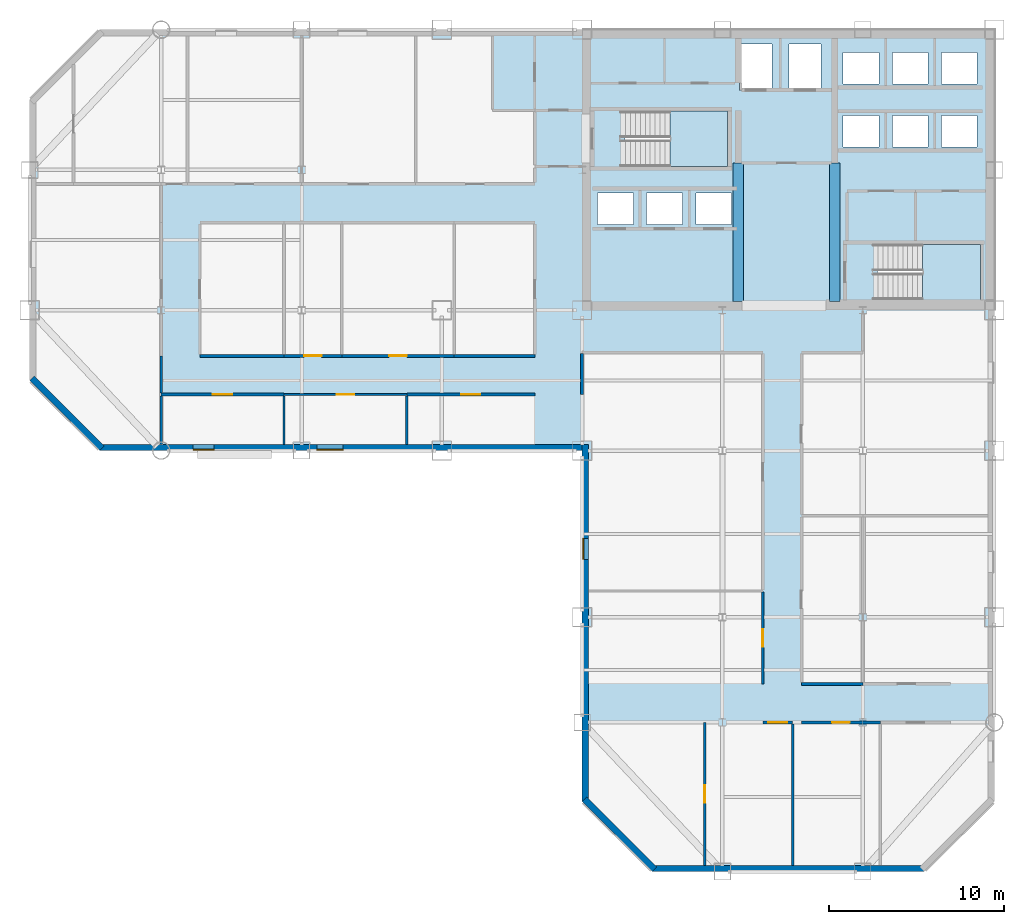
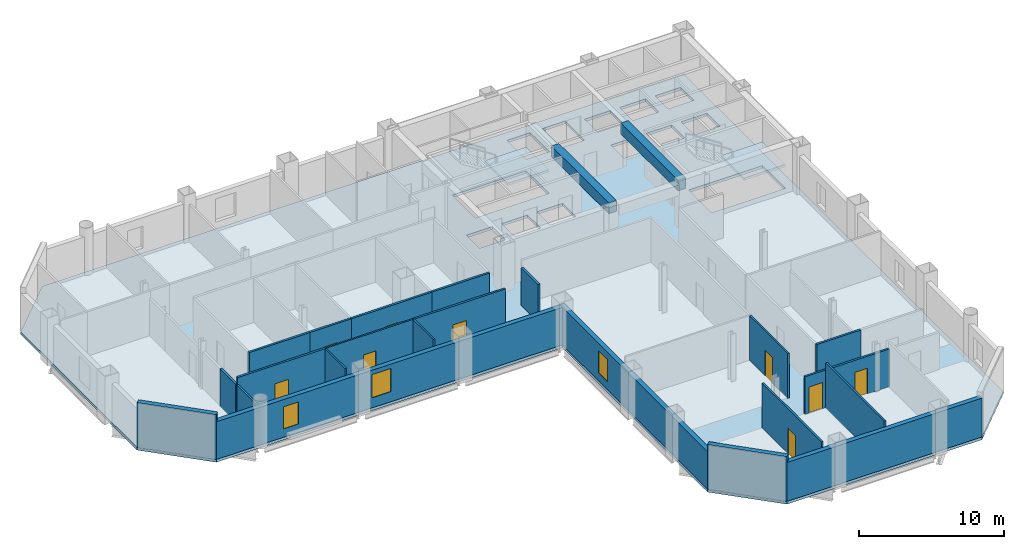
# One storey, part 5 of 10: 23 walls, 9 doors, 3 slabs, 3 windows, 2 beams, 12 openings, 2 elements without a shape of their own.
"""IFC4 building model written with IfcOpenShell, lengths in metres."""

from ifc_helpers import new_model, si_unit, direction, frame, frame_2d, origin, origin_2d, place, context, subcontext, project, spatial, polyline, rectangle, outline, extrude, material, layer, layer_set, material_profile, profile_set, type_object, element, fill, aggregate, save


model = new_model("IFC4")

# Units and contexts
model_context = context("Model", 3, precision=1e-05, world=origin(), true_north=direction((0.0, 1.0)))
body_context = subcontext(model_context, "Body", "Model", "MODEL_VIEW")
ifc_project = project(units=[si_unit("LENGTHUNIT", "METRE"), si_unit("AREAUNIT", "SQUARE_METRE"), si_unit("VOLUMEUNIT", "CUBIC_METRE"), si_unit("PLANEANGLEUNIT", "RADIAN"), si_unit("MASSUNIT", "GRAM", prefix="KILO")], contexts=[model_context])

# Site, building, storey
site_placement = place(None, origin())
site = spatial("IfcSite", under=ifc_project, at=site_placement, CompositionType="ELEMENT")
building_placement = place(site_placement, origin())
building = spatial("IfcBuilding", under=site, at=building_placement, Name="Qianrong Seaharbour Tower", CompositionType="ELEMENT")
storey_placement = place(building_placement, frame((0.0, 0.0, 183.0)))
storey = spatial("IfcBuildingStorey", under=building, at=storey_placement, Name="L44", CompositionType="ELEMENT", Elevation=183.0)

# Beams
ifc_material_1 = material(Name="Concrete C70/85", Category="concrete")
ifc_material_profile = material_profile(ifc_material_1, rectangle(XDim=0.60009765625, YDim=0.89990234375, at=origin_2d()), Name="RC600x900")
ifc_profile_set = profile_set([ifc_material_profile], Name="Concrete C70/85")
beam_type = type_object("IfcBeamType", Name="BM-LINTEL-900", PredefinedType="LINTEL", material=ifc_profile_set)
for number, where, z_axis, x_axis, name in (
    (1, (49.39990234375, 36.5, 3.31494140625), (0.0, 1.0, 0.0), (-1.0, 0.0, 0.0), "L44 Internal Core Coupling Beam IW1"),
    (2, (54.89990234375, 36.5, 3.31494140625), (0.0, 1.0, 0.0), (-1.0, 0.0, 0.0), "L44 Internal Core Coupling Beam IW2"),
):
    element("IfcBeam", number, at=place(storey_placement, frame(where, z_axis=z_axis, x_axis=x_axis)), inside=storey, type_object=beam_type, Name=name, PredefinedType="LINTEL", context=body_context, shape_type="SweptSolid", body=[
        extrude(rectangle(XDim=0.60009765625, YDim=0.89990234375, at=origin_2d()), origin(), (0.0, 0.0, 1.0), 7.89990234375),
    ])

# Stair, slab
ifc_material_2 = material(Name="Concrete C50/60", Category="concrete")
stair_type = type_object("IfcStairType", Name="STAIR-DOGLEG-1500-R22", PredefinedType="HALF_TURN_STAIR", material=ifc_material_2)
stair_1_placement = place(storey_placement, origin())
stair_1 = element("IfcStair", 3, at=stair_1_placement, inside=storey, type_object=stair_type, Name="L44 Protected Escape Stair ST-1", PredefinedType="HALF_TURN_STAIR")
ifc_layer_1 = layer(ifc_material_2, 0.199951171875)
ifc_layer_set_1 = layer_set([ifc_layer_1], Name="Concrete C50/60")
slab_type_1 = type_object("IfcSlabType", Name="SLAB-STAIR-LANDING-200", PredefinedType="LANDING", material=ifc_layer_set_1)
slab_1_placement = place(storey_placement, frame((0.0, 0.0, 1.800048828125)))
slab_1 = element("IfcSlab", 4, at=slab_1_placement, type_object=slab_type_1, Name="ST-1 landing 1", PredefinedType="LANDING", context=body_context, shape_type="SweptSolid", body=[
    extrude(outline(polyline([(45.5, 44.199951171875), (48.800048828125, 44.199951171875), (48.800048828125, 47.35009765625), (45.5, 47.35009765625), (45.5, 44.199951171875)])), origin(), (0.0, 0.0, 1.0), 0.199951171875),
])
aggregate(stair_1, [slab_1])

stair_2_placement = place(storey_placement, origin())
stair_2 = element("IfcStair", 5, at=stair_2_placement, inside=storey, type_object=stair_type, Name="L44 Protected Escape Stair ST-2", PredefinedType="HALF_TURN_STAIR")
slab_2_placement = place(storey_placement, frame((0.0, 0.0, 1.800048828125)))
slab_2 = element("IfcSlab", 6, at=slab_2_placement, type_object=slab_type_1, Name="ST-2 landing 1", PredefinedType="LANDING", context=body_context, shape_type="SweptSolid", body=[
    extrude(outline(polyline([(59.89990234375, 36.60009765625), (63.199951171875, 36.60009765625), (63.199951171875, 39.75), (59.89990234375, 39.75), (59.89990234375, 36.60009765625)])), origin(), (0.0, 0.0, 1.0), 0.199951171875),
])
aggregate(stair_2, [slab_2])

# Slab
ifc_layer_2 = layer(ifc_material_2, 0.235107421875)
ifc_layer_set_2 = layer_set([ifc_layer_2], Name="Concrete C50/60")
slab_type_2 = type_object("IfcSlabType", Name="SLAB-Z2-235", PredefinedType="FLOOR", material=ifc_layer_set_2)
slab_3_placement = place(storey_placement, frame((0.0, 0.0, -0.235107421875)))
element("IfcSlab", 7, at=slab_3_placement, inside=storey, type_object=slab_type_2, Name="L44 Structural Floor Slab", PredefinedType="FLOOR", context=body_context, shape_type="SweptSolid", body=[
    extrude(outline(polyline([(44.5, 4.0), (60.0, 4.0), (64.0, 8.0), (64.0, 52.0), (13.0, 52.0), (9.0, 48.0), (9.0, 32.0), (13.0, 28.0), (40.5, 28.0), (40.5, 8.0), (44.5, 4.0)]), holes=[polyline([(42.93994140625, 44.199951171875), (42.93994140625, 47.35009765625), (48.800048828125, 47.35009765625), (48.800048828125, 44.199951171875), (42.93994140625, 44.199951171875)]), polyline([(57.340087890625, 36.60009765625), (57.340087890625, 39.75), (63.199951171875, 39.75), (63.199951171875, 36.60009765625), (57.340087890625, 36.60009765625)]), polyline([(49.47998046875, 48.530029296875), (49.47998046875, 51.169921875), (51.320068359375, 51.169921875), (51.320068359375, 48.530029296875), (49.47998046875, 48.530029296875)]), polyline([(52.280029296875, 48.530029296875), (52.280029296875, 51.169921875), (54.1201171875, 51.169921875), (54.1201171875, 48.530029296875), (52.280029296875, 48.530029296875)]), polyline([(41.3798828125, 40.89990234375), (41.3798828125, 42.699951171875), (43.419921875, 42.699951171875), (43.419921875, 40.89990234375), (41.3798828125, 40.89990234375)]), polyline([(44.179931640625, 40.89990234375), (44.179931640625, 42.699951171875), (46.219970703125, 42.699951171875), (46.219970703125, 40.89990234375), (44.179931640625, 40.89990234375)]), polyline([(46.97998046875, 40.89990234375), (46.97998046875, 42.699951171875), (49.02001953125, 42.699951171875), (49.02001953125, 40.89990234375), (46.97998046875, 40.89990234375)]), polyline([(55.3798828125, 45.300048828125), (55.3798828125, 47.10009765625), (57.419921875, 47.10009765625), (57.419921875, 45.300048828125), (55.3798828125, 45.300048828125)]), polyline([(58.179931640625, 45.300048828125), (58.179931640625, 47.10009765625), (60.219970703125, 47.10009765625), (60.219970703125, 45.300048828125), (58.179931640625, 45.300048828125)]), polyline([(60.97998046875, 45.300048828125), (60.97998046875, 47.10009765625), (63.02001953125, 47.10009765625), (63.02001953125, 45.300048828125), (60.97998046875, 45.300048828125)]), polyline([(55.3798828125, 48.89990234375), (55.3798828125, 50.699951171875), (57.419921875, 50.699951171875), (57.419921875, 48.89990234375), (55.3798828125, 48.89990234375)]), polyline([(58.179931640625, 48.89990234375), (58.179931640625, 50.699951171875), (60.219970703125, 50.699951171875), (60.219970703125, 48.89990234375), (58.179931640625, 48.89990234375)]), polyline([(60.97998046875, 48.89990234375), (60.97998046875, 50.699951171875), (63.02001953125, 50.699951171875), (63.02001953125, 48.89990234375), (60.97998046875, 48.89990234375)])]), origin(), (0.0, 0.0, 1.0), 0.235107421875),
])

# Wall
ifc_material_3 = material(Name="Fire-rated acoustic gypsum board partition")
ifc_layer_3 = layer(ifc_material_3, 0.1650390625)
ifc_layer_set_3 = layer_set([ifc_layer_3], Name="Fire-rated acoustic gypsum board partition")
wall_type_1 = type_object("IfcWallType", Name="WALL-CORR-PART-165", PredefinedType="PARTITIONING", material=ifc_layer_set_3)
wall_1_placement = place(storey_placement, frame((18.699951171875, 33.39990234375, 0.0), z_axis=(0.0, 0.0, 1.0), x_axis=(1.0, 0.0, 0.0)))
element("IfcWall", 8, at=wall_1_placement, inside=storey, type_object=wall_type_1, Name="L44 Interior Partition Wall 015", PredefinedType="PARTITIONING", context=body_context, shape_type="SweptSolid", body=[
    extrude(rectangle(XDim=4.800048828125, YDim=0.1650390625, at=frame_2d((2.39990234375, 0.0))), origin(), (0.0, 0.0, 1.0), 3.764892578125),
])

# Wall, opening, door
wall_2_placement = place(storey_placement, frame((23.5, 33.39990234375, 0.0), z_axis=(0.0, 0.0, 1.0), x_axis=(1.0, 0.0, 0.0)))
wall_2 = element("IfcWall", 9, at=wall_2_placement, inside=storey, type_object=wall_type_1, Name="L44 Interior Partition Wall 016", PredefinedType="PARTITIONING", context=body_context, shape_type="SweptSolid", body=[
    extrude(rectangle(XDim=3.300048828125, YDim=0.1650390625, at=frame_2d((1.64990234375, 0.0))), origin(), (0.0, 0.0, 1.0), 3.764892578125),
])
opening_1_placement = place(wall_2_placement, frame((1.14990234375, 0.0, 0.0)))
opening_1 = element("IfcOpeningElement", 10, at=opening_1_placement, cuts=wall_2, Name="Opening DO-01", PredefinedType="OPENING", context=body_context, shape_type="SweptSolid", body=[
    extrude(rectangle(XDim=1.0, YDim=2.14990234375, at=frame_2d((0.5, 1.074951171875))), frame((0.0, 0.092529296875, 0.0), z_axis=(0.0, -1.0, 0.0), x_axis=(1.0, 0.0, 0.0)), (0.0, 0.0, 1.0), 0.18505859375),
])
ifc_material_4 = material(Name="Acoustic timber and galvanized steel fire door assembly", Category="steel")
door_type_1 = type_object("IfcDoorType", Name="DOOR-OFFICE-1000x2150", OperationType="NOTDEFINED", PredefinedType="DOOR", material=ifc_material_4)
door_1_placement = place(opening_1_placement, origin())
door_1 = element("IfcDoor", 11, at=door_1_placement, inside=storey, type_object=door_type_1, Name="L44 Maritime Artifact Showroom 2 Door", OperationType="SINGLE_SWING_RIGHT", OverallHeight=2.14990234375, OverallWidth=1.0, PredefinedType="DOOR", context=body_context, shape_type="SweptSolid", body=[
    extrude(rectangle(XDim=1.0, YDim=2.14990234375, at=frame_2d((0.5, 1.074951171875))), frame((0.0, 0.02490234375, 0.0), z_axis=(0.0, -1.0, 0.0), x_axis=(1.0, 0.0, 0.0)), (0.0, 0.0, 1.0), 0.050048828125),
])
fill(opening_1, door_1)

wall_3_placement = place(storey_placement, frame((26.800048828125, 33.39990234375, 0.0), z_axis=(0.0, 0.0, 1.0), x_axis=(1.0, 0.0, 0.0)))
wall_3 = element("IfcWall", 12, at=wall_3_placement, inside=storey, type_object=wall_type_1, Name="L44 Interior Partition Wall 017", PredefinedType="PARTITIONING", context=body_context, shape_type="SweptSolid", body=[
    extrude(rectangle(XDim=6.39990234375, YDim=0.1650390625, at=frame_2d((3.199951171875, 0.0))), origin(), (0.0, 0.0, 1.0), 3.764892578125),
])
opening_2_placement = place(wall_3_placement, frame((2.699951171875, 0.0, 0.0)))
opening_2 = element("IfcOpeningElement", 13, at=opening_2_placement, cuts=wall_3, Name="Opening DO-01", PredefinedType="OPENING", context=body_context, shape_type="SweptSolid", body=[
    extrude(rectangle(XDim=1.0, YDim=2.14990234375, at=frame_2d((0.5, 1.074951171875))), frame((0.0, 0.092529296875, 0.0), z_axis=(0.0, -1.0, 0.0), x_axis=(1.0, 0.0, 0.0)), (0.0, 0.0, 1.0), 0.18505859375),
])
door_2_placement = place(opening_2_placement, origin())
door_2 = element("IfcDoor", 14, at=door_2_placement, inside=storey, type_object=door_type_1, Name="L44 Maritime Artifact Showroom 3 Door", OperationType="SINGLE_SWING_LEFT", OverallHeight=2.14990234375, OverallWidth=1.0, PredefinedType="DOOR", context=body_context, shape_type="SweptSolid", body=[
    extrude(rectangle(XDim=1.0, YDim=2.14990234375, at=frame_2d((0.5, 1.074951171875))), frame((0.0, 0.02490234375, 0.0), z_axis=(0.0, -1.0, 0.0), x_axis=(1.0, 0.0, 0.0)), (0.0, 0.0, 1.0), 0.050048828125),
])
fill(opening_2, door_2)

# Walls
wall_4_placement = place(storey_placement, frame((33.199951171875, 33.39990234375, 0.0), z_axis=(0.0, 0.0, 1.0), x_axis=(1.0, 0.0, 0.0)))
element("IfcWall", 15, at=wall_4_placement, inside=storey, type_object=wall_type_1, Name="L44 Interior Partition Wall 018", PredefinedType="PARTITIONING", context=body_context, shape_type="SweptSolid", body=[
    extrude(rectangle(XDim=4.60009765625, YDim=0.1650390625, at=frame_2d((2.300048828125, 0.0))), origin(), (0.0, 0.0, 1.0), 3.764892578125),
])
wall_5_placement = place(storey_placement, frame((16.5, 31.2744140625, 0.0), z_axis=(0.0, 0.0, 1.0), x_axis=(0.0, 1.0, 0.0)))
element("IfcWall", 16, at=wall_5_placement, inside=storey, type_object=wall_type_1, Name="L44 Interior Partition Wall 019", PredefinedType="PARTITIONING", context=body_context, shape_type="SweptSolid", body=[
    extrude(rectangle(XDim=2.12548828125, YDim=0.1650390625, at=frame_2d((1.062744140625, 0.0))), origin(), (0.0, 0.0, 1.0), 3.156982421875),
])

# Wall, opening, door
wall_6_placement = place(storey_placement, frame((23.5, 31.199951171875, 0.0), z_axis=(0.0, 0.0, 1.0), x_axis=(-1.0, 0.0, 0.0)))
wall_6 = element("IfcWall", 17, at=wall_6_placement, inside=storey, type_object=wall_type_1, Name="L44 Interior Partition Wall 020", PredefinedType="PARTITIONING", context=body_context, shape_type="SweptSolid", body=[
    extrude(rectangle(XDim=7.0, YDim=0.1650390625, at=frame_2d((3.5, 0.0))), origin(), (0.0, 0.0, 1.0), 3.764892578125),
])
opening_3_placement = place(wall_6_placement, frame((2.949951171875, 0.0, 0.0)))
opening_3 = element("IfcOpeningElement", 18, at=opening_3_placement, cuts=wall_6, Name="Opening DM-01", PredefinedType="OPENING", context=body_context, shape_type="SweptSolid", body=[
    extrude(rectangle(XDim=1.10009765625, YDim=2.199951171875, at=frame_2d((0.550048828125, 1.10009765625))), frame((0.0, 0.092529296875, 0.0), z_axis=(0.0, -1.0, 0.0), x_axis=(1.0, 0.0, 0.0)), (0.0, 0.0, 1.0), 0.18505859375),
])
door_type_2 = type_object("IfcDoorType", Name="DOOR-MEET-1100x2200", OperationType="NOTDEFINED", PredefinedType="DOOR", material=ifc_material_4)
door_3_placement = place(opening_3_placement, origin())
door_3 = element("IfcDoor", 19, at=door_3_placement, inside=storey, type_object=door_type_2, Name="L44 Negotiation Meeting Room 1 Door", OperationType="SINGLE_SWING_RIGHT", OverallHeight=2.199951171875, OverallWidth=1.10009765625, PredefinedType="DOOR", context=body_context, shape_type="SweptSolid", body=[
    extrude(rectangle(XDim=1.10009765625, YDim=2.199951171875, at=frame_2d((0.550048828125, 1.10009765625))), frame((0.0, 0.02490234375, 0.0), z_axis=(0.0, -1.0, 0.0), x_axis=(1.0, 0.0, 0.0)), (0.0, 0.0, 1.0), 0.050048828125),
])
fill(opening_3, door_3)

wall_7_placement = place(storey_placement, frame((37.800048828125, 31.199951171875, 0.0), z_axis=(0.0, 0.0, 1.0), x_axis=(-1.0, 0.0, 0.0)))
wall_7 = element("IfcWall", 20, at=wall_7_placement, inside=storey, type_object=wall_type_1, Name="L44 Interior Partition Wall 022", PredefinedType="PARTITIONING", context=body_context, shape_type="SweptSolid", body=[
    extrude(rectangle(XDim=7.300048828125, YDim=0.1650390625, at=frame_2d((3.64990234375, 0.0))), origin(), (0.0, 0.0, 1.0), 3.764892578125),
])
opening_4_placement = place(wall_7_placement, frame((3.10009765625, 0.0, 0.0)))
opening_4 = element("IfcOpeningElement", 21, at=opening_4_placement, cuts=wall_7, Name="Opening DM-01", PredefinedType="OPENING", context=body_context, shape_type="SweptSolid", body=[
    extrude(rectangle(XDim=1.10009765625, YDim=2.199951171875, at=frame_2d((0.550048828125, 1.10009765625))), frame((0.0, 0.092529296875, 0.0), z_axis=(0.0, -1.0, 0.0), x_axis=(1.0, 0.0, 0.0)), (0.0, 0.0, 1.0), 0.18505859375),
])
door_4_placement = place(opening_4_placement, origin())
door_4 = element("IfcDoor", 22, at=door_4_placement, inside=storey, type_object=door_type_2, Name="L44 Negotiation Meeting Room 3 Door", OperationType="SINGLE_SWING_RIGHT", OverallHeight=2.199951171875, OverallWidth=1.10009765625, PredefinedType="DOOR", context=body_context, shape_type="SweptSolid", body=[
    extrude(rectangle(XDim=1.10009765625, YDim=2.199951171875, at=frame_2d((0.550048828125, 1.10009765625))), frame((0.0, 0.02490234375, 0.0), z_axis=(0.0, -1.0, 0.0), x_axis=(1.0, 0.0, 0.0)), (0.0, 0.0, 1.0), 0.050048828125),
])
fill(opening_4, door_4)

# Wall
wall_8_placement = place(storey_placement, frame((40.5, 33.525390625, 0.0), z_axis=(0.0, 0.0, 1.0), x_axis=(0.0, -1.0, 0.0)))
element("IfcWall", 23, at=wall_8_placement, inside=storey, type_object=wall_type_1, Name="L44 Interior Partition Wall 036", PredefinedType="PARTITIONING", context=body_context, shape_type="SweptSolid", body=[
    extrude(rectangle(XDim=2.325439453125, YDim=0.1650390625, at=frame_2d((1.16259765625, 0.0))), origin(), (0.0, 0.0, 1.0), 3.156982421875),
])

# Wall, opening, door
wall_9_placement = place(storey_placement, frame((52.5, 12.5, 0.0), z_axis=(0.0, 0.0, 1.0), x_axis=(-1.0, 0.0, 0.0)))
wall_9 = element("IfcWall", 24, at=wall_9_placement, inside=storey, type_object=wall_type_1, Name="L44 Interior Partition Wall 044", PredefinedType="PARTITIONING", context=body_context, shape_type="SweptSolid", body=[
    extrude(rectangle(XDim=1.699951171875, YDim=0.1650390625, at=frame_2d((0.85009765625, 0.0))), origin(), (0.0, 0.0, 1.0), 3.156982421875),
])
opening_5_placement = place(wall_9_placement, frame((0.300048828125, 0.0, 0.0)))
opening_5 = element("IfcOpeningElement", 25, at=opening_5_placement, cuts=wall_9, Name="Opening DM-01", PredefinedType="OPENING", context=body_context, shape_type="SweptSolid", body=[
    extrude(rectangle(XDim=1.10009765625, YDim=2.199951171875, at=frame_2d((0.550048828125, 1.10009765625))), frame((0.0, 0.092529296875, 0.0), z_axis=(0.0, -1.0, 0.0), x_axis=(1.0, 0.0, 0.0)), (0.0, 0.0, 1.0), 0.18505859375),
])
door_5_placement = place(opening_5_placement, origin())
door_5 = element("IfcDoor", 26, at=door_5_placement, inside=storey, type_object=door_type_2, Name="L44 Contract Signing Room 2 Door", OperationType="SINGLE_SWING_RIGHT", OverallHeight=2.199951171875, OverallWidth=1.10009765625, PredefinedType="DOOR", context=body_context, shape_type="SweptSolid", body=[
    extrude(rectangle(XDim=1.10009765625, YDim=2.199951171875, at=frame_2d((0.550048828125, 1.10009765625))), frame((0.0, 0.02490234375, 0.0), z_axis=(0.0, -1.0, 0.0), x_axis=(1.0, 0.0, 0.0)), (0.0, 0.0, 1.0), 0.050048828125),
])
fill(opening_5, door_5)

# Wall
wall_10_placement = place(storey_placement, frame((53.0, 14.699951171875, 0.0), z_axis=(0.0, 0.0, 1.0), x_axis=(1.0, 0.0, 0.0)))
element("IfcWall", 27, at=wall_10_placement, inside=storey, type_object=wall_type_1, Name="L44 Interior Partition Wall 045", PredefinedType="PARTITIONING", context=body_context, shape_type="SweptSolid", body=[
    extrude(rectangle(XDim=3.5, YDim=0.1650390625, at=frame_2d((1.75, 0.0))), origin(), (0.0, 0.0, 1.0), 3.764892578125),
])

# Wall, opening, door
wall_11_placement = place(storey_placement, frame((57.5, 12.5, 0.0), z_axis=(0.0, 0.0, 1.0), x_axis=(-1.0, 0.0, 0.0)))
wall_11 = element("IfcWall", 28, at=wall_11_placement, inside=storey, type_object=wall_type_1, Name="L44 Interior Partition Wall 047", PredefinedType="PARTITIONING", context=body_context, shape_type="SweptSolid", body=[
    extrude(rectangle(XDim=4.5, YDim=0.1650390625, at=frame_2d((2.25, 0.0))), origin(), (0.0, 0.0, 1.0), 3.156982421875),
])
opening_6_placement = place(wall_11_placement, frame((1.75, 0.0, 0.0)))
opening_6 = element("IfcOpeningElement", 29, at=opening_6_placement, cuts=wall_11, Name="Opening DO-01", PredefinedType="OPENING", context=body_context, shape_type="SweptSolid", body=[
    extrude(rectangle(XDim=1.0, YDim=2.14990234375, at=frame_2d((0.5, 1.074951171875))), frame((0.0, 0.092529296875, 0.0), z_axis=(0.0, -1.0, 0.0), x_axis=(1.0, 0.0, 0.0)), (0.0, 0.0, 1.0), 0.18505859375),
])
door_6_placement = place(opening_6_placement, origin())
door_6 = element("IfcDoor", 30, at=door_6_placement, inside=storey, type_object=door_type_1, Name="L44 Marine Showcase Showroom 3 Door", OperationType="SINGLE_SWING_LEFT", OverallHeight=2.14990234375, OverallWidth=1.0, PredefinedType="DOOR", context=body_context, shape_type="SweptSolid", body=[
    extrude(rectangle(XDim=1.0, YDim=2.14990234375, at=frame_2d((0.5, 1.074951171875))), frame((0.0, 0.02490234375, 0.0), z_axis=(0.0, -1.0, 0.0), x_axis=(1.0, 0.0, 0.0)), (0.0, 0.0, 1.0), 0.050048828125),
])
fill(opening_6, door_6)

# Wall, opening, window
ifc_material_5 = material(Name="Unitised red brick on Precast concrete C45/55", Category="masonry")
ifc_layer_4 = layer(ifc_material_5, 0.360107421875)
ifc_layer_set_4 = layer_set([ifc_layer_4], Name="Unitised red brick on Precast concrete C45/55")
wall_type_2 = type_object("IfcWallType", Name="WALL-EXT-BRICK-RED-360", PredefinedType="SOLIDWALL", material=ifc_layer_set_4)
wall_12_placement = place(storey_placement, frame((40.679931640625, 8.0, 0.0), z_axis=(0.0, 0.0, 1.0), x_axis=(0.0, 1.0, 0.0)))
wall_12 = element("IfcWall", 31, at=wall_12_placement, inside=storey, type_object=wall_type_2, Name="L44 Exterior Masonry Facade Wall REENTRANT_WEST", PredefinedType="SOLIDWALL", context=body_context, shape_type="SweptSolid", body=[
    extrude(rectangle(XDim=20.360107421875, YDim=0.360107421875, at=frame_2d((10.18017578125, 0.0))), origin(), (0.0, 0.0, 1.0), 3.1650390625),
])
opening_7_placement = place(wall_12_placement, frame((13.800048828125, 0.0, 0.699951171875)))
opening_7 = element("IfcOpeningElement", 32, at=opening_7_placement, cuts=wall_12, Name="Opening WN-01", PredefinedType="OPENING", context=body_context, shape_type="SweptSolid", body=[
    extrude(rectangle(XDim=1.199951171875, YDim=1.85009765625, at=frame_2d((0.60009765625, 0.925048828125))), frame((0.0, 0.18994140625, 0.0), z_axis=(0.0, -1.0, 0.0), x_axis=(1.0, 0.0, 0.0)), (0.0, 0.0, 1.0), 0.380126953125),
])
ifc_material_6 = material(Name="Insulated low-e double glazing in thermally broken aluminium 6063-T6 frame", Category="aluminium")
window_type_1 = type_object("IfcWindowType", Name="WIN-PUNCH-1200x1850", PartitioningType="DOUBLE_PANEL_VERTICAL", PredefinedType="WINDOW", material=ifc_material_6)
window_1_placement = place(opening_7_placement, origin())
window_1 = element("IfcWindow", 33, at=window_1_placement, inside=storey, type_object=window_type_1, Name="L44 Deep-Set Punched Window 00.04", OverallHeight=1.85009765625, OverallWidth=1.199951171875, PartitioningType="DOUBLE_PANEL_VERTICAL", PredefinedType="WINDOW", context=body_context, shape_type="SweptSolid", body=[
    extrude(rectangle(XDim=1.199951171875, YDim=1.85009765625, at=frame_2d((0.60009765625, 0.925048828125))), frame((0.0, 0.150146484375, 0.0), z_axis=(0.0, -1.0, 0.0), x_axis=(1.0, 0.0, 0.0)), (0.0, 0.0, 1.0), 0.06005859375),
])
fill(opening_7, window_1)

# Wall, openings, windows
wall_13_placement = place(storey_placement, frame((40.52001953125, 28.179931640625, 0.0), z_axis=(0.0, 0.0, 1.0), x_axis=(-1.0, 0.0, 0.0)))
wall_13 = element("IfcWall", 34, at=wall_13_placement, inside=storey, type_object=wall_type_2, Name="L44 Exterior Masonry Facade Wall HARBOUR_RIBBON", PredefinedType="SOLIDWALL", context=body_context, shape_type="SweptSolid", body=[
    extrude(rectangle(XDim=27.52001953125, YDim=0.360107421875, at=frame_2d((13.760009765625, 0.0))), origin(), (0.0, 0.0, 1.0), 3.1650390625),
])
opening_8_placement = place(wall_13_placement, frame((13.64990234375, 0.0, 0.85009765625)))
opening_8 = element("IfcOpeningElement", 35, at=opening_8_placement, cuts=wall_13, Name="Opening WN-03", PredefinedType="OPENING", context=body_context, shape_type="SweptSolid", body=[
    extrude(rectangle(XDim=1.5, YDim=1.949951171875, at=frame_2d((0.75, 0.97509765625))), frame((0.0, 0.18994140625, 0.0), z_axis=(0.0, -1.0, 0.0), x_axis=(1.0, 0.0, 0.0)), (0.0, 0.0, 1.0), 0.380126953125),
])
opening_9_placement = place(wall_13_placement, frame((21.0, 0.0, 0.699951171875)))
opening_9 = element("IfcOpeningElement", 36, at=opening_9_placement, cuts=wall_13, Name="Opening WN-01", PredefinedType="OPENING", context=body_context, shape_type="SweptSolid", body=[
    extrude(rectangle(XDim=1.199951171875, YDim=1.85009765625, at=frame_2d((0.60009765625, 0.925048828125))), frame((0.0, 0.18994140625, 0.0), z_axis=(0.0, -1.0, 0.0), x_axis=(1.0, 0.0, 0.0)), (0.0, 0.0, 1.0), 0.380126953125),
])
window_2_placement = place(opening_9_placement, origin())
window_2 = element("IfcWindow", 37, at=window_2_placement, inside=storey, type_object=window_type_1, Name="L44 Deep-Set Punched Window 01.06", OverallHeight=1.85009765625, OverallWidth=1.199951171875, PartitioningType="DOUBLE_PANEL_VERTICAL", PredefinedType="WINDOW", context=body_context, shape_type="SweptSolid", body=[
    extrude(rectangle(XDim=1.199951171875, YDim=1.85009765625, at=frame_2d((0.60009765625, 0.925048828125))), frame((0.0, 0.150146484375, 0.0), z_axis=(0.0, -1.0, 0.0), x_axis=(1.0, 0.0, 0.0)), (0.0, 0.0, 1.0), 0.06005859375),
])
fill(opening_9, window_2)
window_type_2 = type_object("IfcWindowType", Name="WIN-PUNCH-1500x1950", PartitioningType="DOUBLE_PANEL_VERTICAL", PredefinedType="WINDOW", material=ifc_material_6)
window_3_placement = place(opening_8_placement, origin())
window_3 = element("IfcWindow", 38, at=window_3_placement, inside=storey, type_object=window_type_2, Name="L44 Deep-Set Punched Window 01.04", OverallHeight=1.949951171875, OverallWidth=1.5, PartitioningType="DOUBLE_PANEL_VERTICAL", PredefinedType="WINDOW", context=body_context, shape_type="SweptSolid", body=[
    extrude(rectangle(XDim=1.5, YDim=1.949951171875, at=frame_2d((0.75, 0.97509765625))), frame((0.0, 0.150146484375, 0.0), z_axis=(0.0, -1.0, 0.0), x_axis=(1.0, 0.0, 0.0)), (0.0, 0.0, 1.0), 0.06005859375),
])
fill(opening_8, window_3)

# Walls
wall_14_placement = place(storey_placement, frame((13.127197265625, 28.127197265625, 0.0), z_axis=(0.0, 0.0, 1.0), x_axis=(-0.707106781187, 0.707106781187, 0.0)))
element("IfcWall", 39, at=wall_14_placement, inside=storey, type_object=wall_type_2, Name="L44 Exterior Masonry Facade Wall E02", PredefinedType="SOLIDWALL", context=body_context, shape_type="SweptSolid", body=[
    extrude(rectangle(XDim=5.65673828125, YDim=0.360107421875, at=frame_2d((2.828369140625, 0.0))), origin(), (0.0, 0.0, 1.0), 3.764892578125),
])
wall_15_placement = place(storey_placement, frame((60.0, 4.179931640625, 0.0), z_axis=(0.0, 0.0, 1.0), x_axis=(-1.0, 0.0, 0.0)))
element("IfcWall", 40, at=wall_15_placement, inside=storey, type_object=wall_type_2, Name="L44 Exterior Masonry Facade Wall SOUTH_TIP", PredefinedType="SOLIDWALL", context=body_context, shape_type="SweptSolid", body=[
    extrude(rectangle(XDim=15.5, YDim=0.360107421875, at=frame_2d((7.75, 0.0))), origin(), (0.0, 0.0, 1.0), 3.264892578125),
])
wall_16_placement = place(storey_placement, frame((44.627197265625, 4.127197265625, 0.0), z_axis=(0.0, 0.0, 1.0), x_axis=(-0.707106781187, 0.707106781187, 0.0)))
element("IfcWall", 41, at=wall_16_placement, inside=storey, type_object=wall_type_2, Name="L44 Exterior Masonry Facade Wall E09", PredefinedType="SOLIDWALL", context=body_context, shape_type="SweptSolid", body=[
    extrude(rectangle(XDim=5.65673828125, YDim=0.360107421875, at=frame_2d((2.828369140625, 0.0))), origin(), (0.0, 0.0, 1.0), 3.764892578125),
])
ifc_material_7 = material(Name="Acoustic gypsum board stud partition")
ifc_layer_5 = layer(ifc_material_7, 0.14501953125)
ifc_layer_set_5 = layer_set([ifc_layer_5], Name="Acoustic gypsum board stud partition")
wall_type_3 = type_object("IfcWallType", Name="WALL-OFFICE-PART-145", PredefinedType="PARTITIONING", material=ifc_layer_set_5)
wall_17_placement = place(storey_placement, frame((16.5, 31.12548828125, 0.0), z_axis=(0.0, 0.0, 1.0), x_axis=(0.0, -1.0, 0.0)))
element("IfcWall", 42, at=wall_17_placement, inside=storey, type_object=wall_type_3, Name="L44 Interior Partition Wall 061", PredefinedType="PARTITIONING", context=body_context, shape_type="SweptSolid", body=[
    extrude(rectangle(XDim=2.7734375, YDim=0.14501953125, at=frame_2d((1.38671875, 0.0))), origin(), (0.0, 0.0, 1.0), 3.156982421875),
])

# Wall, opening, door
wall_18_placement = place(storey_placement, frame((47.5, 12.5, 0.0), z_axis=(0.0, 0.0, 1.0), x_axis=(0.0, -1.0, 0.0)))
wall_18 = element("IfcWall", 43, at=wall_18_placement, inside=storey, type_object=wall_type_3, Name="L44 Interior Partition Wall 065", PredefinedType="PARTITIONING", context=body_context, shape_type="SweptSolid", body=[
    extrude(rectangle(XDim=8.14794921875, YDim=0.14501953125, at=frame_2d((4.073974609375, 0.0))), origin(), (0.0, 0.0, 1.0), 3.764892578125),
])
opening_10_placement = place(wall_18_placement, frame((3.573974609375, 0.0, 0.0)))
opening_10 = element("IfcOpeningElement", 44, at=opening_10_placement, cuts=wall_18, Name="Opening DO-01", PredefinedType="OPENING", context=body_context, shape_type="SweptSolid", body=[
    extrude(rectangle(XDim=1.0, YDim=2.14990234375, at=frame_2d((0.5, 1.074951171875))), frame((0.0, 0.08251953125, 0.0), z_axis=(0.0, -1.0, 0.0), x_axis=(1.0, 0.0, 0.0)), (0.0, 0.0, 1.0), 0.1650390625),
])
door_7_placement = place(opening_10_placement, origin())
door_7 = element("IfcDoor", 45, at=door_7_placement, inside=storey, type_object=door_type_1, Name="L44 Harbour Trade Lounge 1 Door", OperationType="SINGLE_SWING_LEFT", OverallHeight=2.14990234375, OverallWidth=1.0, PredefinedType="DOOR", context=body_context, shape_type="SweptSolid", body=[
    extrude(rectangle(XDim=1.0, YDim=2.14990234375, at=frame_2d((0.5, 1.074951171875))), frame((0.0, 0.02490234375, 0.0), z_axis=(0.0, -1.0, 0.0), x_axis=(1.0, 0.0, 0.0)), (0.0, 0.0, 1.0), 0.050048828125),
])
fill(opening_10, door_7)

# Wall
wall_19_placement = place(storey_placement, frame((52.5, 12.425537109375, 0.0), z_axis=(0.0, 0.0, 1.0), x_axis=(0.0, -1.0, 0.0)))
element("IfcWall", 46, at=wall_19_placement, inside=storey, type_object=wall_type_3, Name="L44 Interior Partition Wall 066", PredefinedType="PARTITIONING", context=body_context, shape_type="SweptSolid", body=[
    extrude(rectangle(XDim=8.073486328125, YDim=0.14501953125, at=frame_2d((4.03662109375, 0.0))), origin(), (0.0, 0.0, 1.0), 3.764892578125),
])

# Wall, opening, door
ifc_material_8 = material(Name="Water-resistant cement board sanitary partition")
ifc_layer_6 = layer(ifc_material_8, 0.1298828125)
ifc_layer_set_6 = layer_set([ifc_layer_6], Name="Water-resistant cement board sanitary partition")
wall_type_4 = type_object("IfcWallType", Name="WALL-WET-PART-130", PredefinedType="PARTITIONING", material=ifc_layer_set_6)
wall_20_placement = place(storey_placement, frame((30.5, 31.199951171875, 0.0), z_axis=(0.0, 0.0, 1.0), x_axis=(-1.0, 0.0, 0.0)))
wall_20 = element("IfcWall", 47, at=wall_20_placement, inside=storey, type_object=wall_type_4, Name="L44 Interior Partition Wall 021", PredefinedType="PARTITIONING", context=body_context, shape_type="SweptSolid", body=[
    extrude(rectangle(XDim=7.0, YDim=0.1298828125, at=frame_2d((3.5, 0.0))), origin(), (0.0, 0.0, 1.0), 3.764892578125),
])
opening_11_placement = place(wall_20_placement, frame((3.0, 0.0, 0.0)))
opening_11 = element("IfcOpeningElement", 48, at=opening_11_placement, cuts=wall_20, Name="Opening DO-01", PredefinedType="OPENING", context=body_context, shape_type="SweptSolid", body=[
    extrude(rectangle(XDim=1.0, YDim=2.14990234375, at=frame_2d((0.5, 1.074951171875))), frame((0.0, 0.074951171875, 0.0), z_axis=(0.0, -1.0, 0.0), x_axis=(1.0, 0.0, 0.0)), (0.0, 0.0, 1.0), 0.14990234375),
])
door_8_placement = place(opening_11_placement, origin())
door_8 = element("IfcDoor", 49, at=door_8_placement, inside=storey, type_object=door_type_1, Name="L44 Wet Pantry 2 Door", OperationType="SINGLE_SWING_LEFT", OverallHeight=2.14990234375, OverallWidth=1.0, PredefinedType="DOOR", context=body_context, shape_type="SweptSolid", body=[
    extrude(rectangle(XDim=1.0, YDim=2.14990234375, at=frame_2d((0.5, 1.074951171875))), frame((0.0, 0.02490234375, 0.0), z_axis=(0.0, -1.0, 0.0), x_axis=(1.0, 0.0, 0.0)), (0.0, 0.0, 1.0), 0.050048828125),
])
fill(opening_11, door_8)

wall_21_placement = place(storey_placement, frame((50.800048828125, 14.699951171875, 0.0), z_axis=(0.0, 0.0, 1.0), x_axis=(0.0, 1.0, 0.0)))
wall_21 = element("IfcWall", 50, at=wall_21_placement, inside=storey, type_object=wall_type_4, Name="L44 Interior Partition Wall 042", PredefinedType="PARTITIONING", context=body_context, shape_type="SweptSolid", body=[
    extrude(rectangle(XDim=5.2431640625, YDim=0.1298828125, at=frame_2d((2.62158203125, 0.0))), origin(), (0.0, 0.0, 1.0), 3.764892578125),
])
opening_12_placement = place(wall_21_placement, frame((2.12158203125, 0.0, 0.0)))
opening_12 = element("IfcOpeningElement", 51, at=opening_12_placement, cuts=wall_21, Name="Opening DO-01", PredefinedType="OPENING", context=body_context, shape_type="SweptSolid", body=[
    extrude(rectangle(XDim=1.0, YDim=2.14990234375, at=frame_2d((0.5, 1.074951171875))), frame((0.0, 0.074951171875, 0.0), z_axis=(0.0, -1.0, 0.0), x_axis=(1.0, 0.0, 0.0)), (0.0, 0.0, 1.0), 0.14990234375),
])
door_9_placement = place(opening_12_placement, origin())
door_9 = element("IfcDoor", 52, at=door_9_placement, inside=storey, type_object=door_type_1, Name="L44 Wet Pantry 1 Door", OperationType="SINGLE_SWING_LEFT", OverallHeight=2.14990234375, OverallWidth=1.0, PredefinedType="DOOR", context=body_context, shape_type="SweptSolid", body=[
    extrude(rectangle(XDim=1.0, YDim=2.14990234375, at=frame_2d((0.5, 1.074951171875))), frame((0.0, 0.02490234375, 0.0), z_axis=(0.0, -1.0, 0.0), x_axis=(1.0, 0.0, 0.0)), (0.0, 0.0, 1.0), 0.050048828125),
])
fill(opening_12, door_9)

# Walls
for number, where, z_axis, x_axis, name in (
    (53, (23.5, 31.12548828125, 0.0), (0.0, 0.0, 1.0), (0.0, -1.0, 0.0), "L44 Interior Partition Wall 062"),
    (54, (30.5, 31.12548828125, 0.0), (0.0, 0.0, 1.0), (0.0, -1.0, 0.0), "L44 Interior Partition Wall 063"),
):
    element("IfcWall", number, at=place(storey_placement, frame(where, z_axis=z_axis, x_axis=x_axis)), inside=storey, type_object=wall_type_4, Name=name, PredefinedType="PARTITIONING", context=body_context, shape_type="SweptSolid", body=[
        extrude(rectangle(XDim=2.7734375, YDim=0.1298828125, at=frame_2d((1.38671875, 0.0))), origin(), (0.0, 0.0, 1.0), 3.764892578125),
    ])

save(model, "model.ifc")
